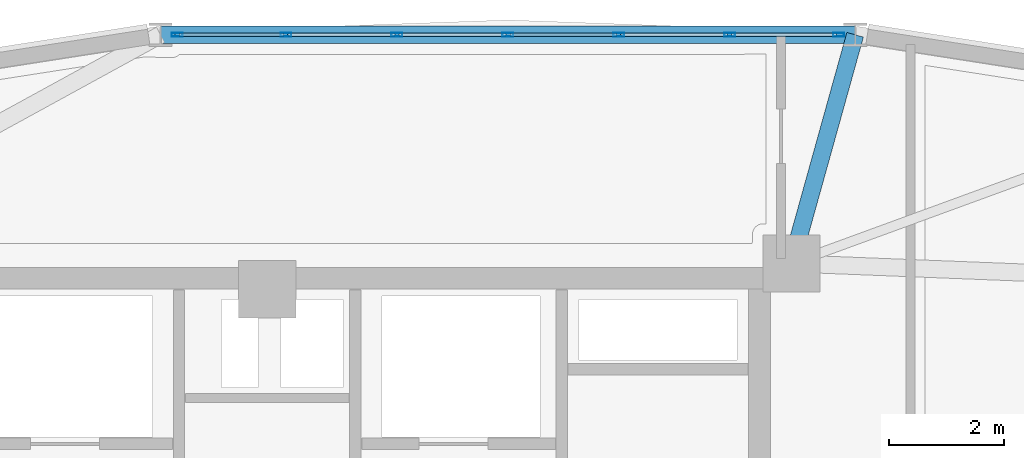
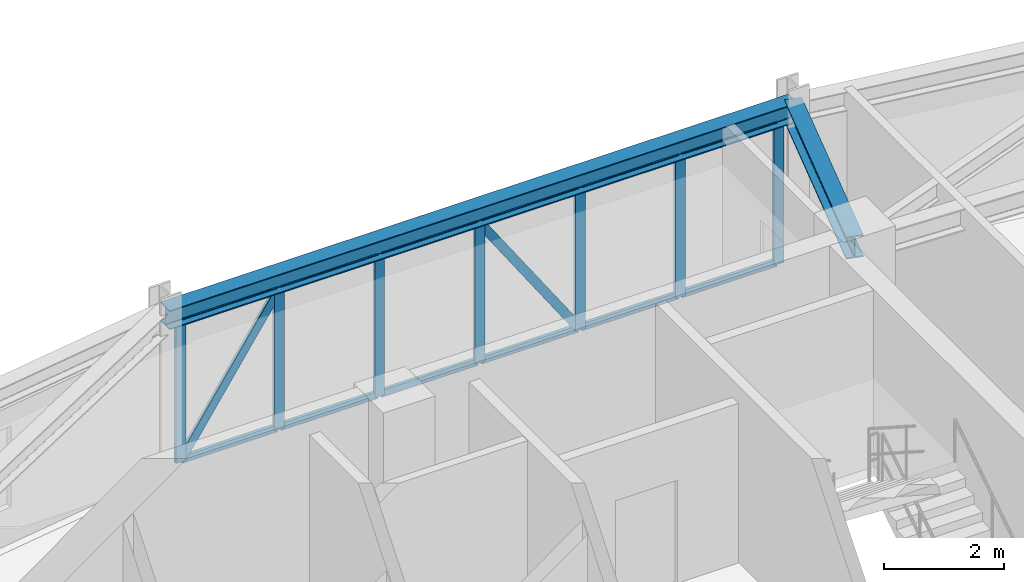
# One storey, part 9 of 16: 21 members, 2 beams, 1 element without a shape of its own.
"""IFC4 building model written with IfcOpenShell, lengths in metres."""

from ifc_helpers import new_model, si_unit, derived_unit, direction, frame, origin, origin_2d, place, context, subcontext, project, spatial, hollow_rectangle, i_section, extrude, source, transform, mapped, material, layer, layer_set, material_profile, profile_set, type_object, element, aggregate, save


model = new_model("IFC4")

# Units and contexts
model_context = context("Model", 3, precision=1e-05, world=origin(), true_north=direction((0.0, 1.0)))
body_context = subcontext(model_context, "Body", "Model", "MODEL_VIEW")
ifc_project = project(units=[si_unit("LENGTHUNIT", "METRE"), si_unit("AREAUNIT", "SQUARE_METRE"), si_unit("VOLUMEUNIT", "CUBIC_METRE"), si_unit("PLANEANGLEUNIT", "RADIAN"), si_unit("MASSUNIT", "GRAM", prefix="KILO"), derived_unit("THERMALTRANSMITTANCEUNIT", [(si_unit("POWERUNIT", "WATT"), 1), (si_unit("LENGTHUNIT", "METRE"), -2), (si_unit("THERMODYNAMICTEMPERATUREUNIT", "KELVIN"), -1)])], contexts=[model_context])

# Site, building, storey
site_placement = place(None, origin())
site = spatial("IfcSite", under=ifc_project, at=site_placement, CompositionType="ELEMENT")
building_placement = place(site_placement, origin())
building = spatial("IfcBuilding", under=site, at=building_placement, Name="Korsvarv Bourse and Concert Hall", CompositionType="ELEMENT")
storey_placement = place(building_placement, frame((0.0, 0.0, 234.60009765625)))
storey = spatial("IfcBuildingStorey", under=building, at=storey_placement, Name="L61", CompositionType="ELEMENT", Elevation=234.60009765625)

# Beams
ifc_material_1 = material(Name="Steel S355", Category="steel")
ifc_material_profile_1 = material_profile(ifc_material_1, i_section(OverallWidth=0.300048828125, OverallDepth=0.389892578125, WebThickness=0.010986328125, FlangeThickness=0.01904296875, FilletRadius=0.02099609375, at=origin_2d()), Name="HEA 400")
ifc_profile_set_1 = profile_set([ifc_material_profile_1], Name="Steel S355")
beam_type_1 = type_object("IfcBeamType", Name="BM-HEA400", PredefinedType="BEAM", material=ifc_profile_set_1)
shared_shape_1 = source(origin(), body_context, "Body", "SweptSolid", [
    extrude(i_section(OverallWidth=0.300048828125, OverallDepth=0.389892578125, WebThickness=0.010986328125, FlangeThickness=0.01904296875, FilletRadius=0.02099609375, at=origin_2d()), origin(), (0.0, 0.0, 1.0), 12.12353515625),
])
beam_1_placement = place(storey_placement, frame((46.26171875, 51.2412109375, 3.06494140625), z_axis=(-1.0, 0.0, 0.0), x_axis=(0.0, -1.0, 0.0)))
element("IfcBeam", 1, at=beam_1_placement, inside=storey, type_object=beam_type_1, Name="L61 beam B-11", PredefinedType="BEAM", context=body_context, shape_type="MappedRepresentation", body=[
    mapped(shared_shape_1, transform((0.0, 0.0, 0.0), scale=1.0)),
])
ifc_material_profile_2 = material_profile(ifc_material_1, i_section(OverallWidth=0.300048828125, OverallDepth=0.449951171875, WebThickness=0.013916015625, FlangeThickness=0.02587890625, FilletRadius=0.02099609375, at=origin_2d()), Name="HEB 450")
ifc_profile_set_2 = profile_set([ifc_material_profile_2], Name="Steel S355")
beam_type_2 = type_object("IfcBeamType", Name="BM-HEB450", PredefinedType="SPANDREL", material=ifc_profile_set_2)
shared_shape_2 = source(origin(), body_context, "Body", "SweptSolid", [
    extrude(i_section(OverallWidth=0.300048828125, OverallDepth=0.449951171875, WebThickness=0.013916015625, FlangeThickness=0.02587890625, FilletRadius=0.02099609375, at=origin_2d()), origin(), (0.0, 0.0, 1.0), 4.14306640625),
])
beam_2_placement = place(storey_placement, frame((46.26171875, 51.2412109375, 3.034912109375), z_axis=(-0.268348877683, -0.963321794545, 0.0), x_axis=(0.963321794545, -0.268348877683, 0.0)))
element("IfcBeam", 2, at=beam_2_placement, inside=storey, type_object=beam_type_2, Name="L61 beam B-08", PredefinedType="SPANDREL", context=body_context, shape_type="MappedRepresentation", body=[
    mapped(shared_shape_2, transform((0.0, 0.0, 0.0), scale=1.0)),
])

# Curtain wall, members
ifc_material_2 = material(Name="Anodised aluminium and triple low-E glazing", Category="glass")
ifc_layer = layer(ifc_material_2, 0.199951171875)
ifc_layer_set = layer_set([ifc_layer], Name="Anodised aluminium and triple low-E glazing")
curtain_wall_type = type_object("IfcCurtainWallType", Name="CW-SYS-3", PredefinedType="NOTDEFINED", material=ifc_layer_set)
curtain_wall_placement = place(storey_placement, origin())
curtain_wall = element("IfcCurtainWall", 3, at=curtain_wall_placement, inside=storey, type_object=curtain_wall_type, Name="L61 CW3 curtain wall CW-L61-F03", PredefinedType="NOTDEFINED")
ifc_material_3 = material(Name="Extruded aluminium EN AW-6063 T66", Category="aluminium")
ifc_material_profile_3 = material_profile(ifc_material_3, hollow_rectangle(XDim=0.06494140625, YDim=0.139892578125, WallThickness=0.00390625, at=origin_2d()), Name="ALU-T 65x140")
ifc_profile_set_3 = profile_set([ifc_material_profile_3], Name="Extruded aluminium EN AW-6063 T66")
member_type_1 = type_object("IfcMemberType", Name="CWT-140", PredefinedType="USERDEFINED", material=ifc_profile_set_3)
shared_shape_3 = source(origin(), body_context, "Body", "SweptSolid", [
    extrude(hollow_rectangle(XDim=0.06494140625, YDim=0.139892578125, WallThickness=0.00390625, at=origin_2d()), origin(), (0.0, 0.0, 1.0), 1.831298828125),
])
member_1_placement = place(storey_placement, frame((45.938720703125, 51.2412109375, 0.032470703125), z_axis=(-1.0, 0.0, 0.0), x_axis=(0.0, -1.0, 0.0)))
member_1 = element("IfcMember", 4, at=member_1_placement, type_object=member_type_1, Name="CW3 transom 1.1", ObjectType="TRANSOM", PredefinedType="USERDEFINED", context=body_context, shape_type="MappedRepresentation", body=[
    mapped(shared_shape_3, transform((0.0, 0.0, 0.0), scale=1.0)),
])
member_2_placement = place(storey_placement, frame((45.938720703125, 51.2412109375, 2.83740234375), z_axis=(-1.0, 0.0, 0.0), x_axis=(0.0, -1.0, 0.0)))
member_2 = element("IfcMember", 5, at=member_2_placement, type_object=member_type_1, Name="CW3 transom 1.2", ObjectType="TRANSOM", PredefinedType="USERDEFINED", context=body_context, shape_type="MappedRepresentation", body=[
    mapped(shared_shape_3, transform((0.0, 0.0, 0.0), scale=1.0)),
])
member_3_placement = place(storey_placement, frame((36.29248046875, 51.2412109375, 0.032470703125), z_axis=(-1.0, 0.0, 0.0), x_axis=(0.0, -1.0, 0.0)))
member_3 = element("IfcMember", 6, at=member_3_placement, type_object=member_type_1, Name="CW3 transom 6.1", ObjectType="TRANSOM", PredefinedType="USERDEFINED", context=body_context, shape_type="MappedRepresentation", body=[
    mapped(shared_shape_3, transform((0.0, 0.0, 0.0), scale=1.0)),
])
member_4_placement = place(storey_placement, frame((36.29248046875, 51.2412109375, 2.83740234375), z_axis=(-1.0, 0.0, 0.0), x_axis=(0.0, -1.0, 0.0)))
member_4 = element("IfcMember", 7, at=member_4_placement, type_object=member_type_1, Name="CW3 transom 6.2", ObjectType="TRANSOM", PredefinedType="USERDEFINED", context=body_context, shape_type="MappedRepresentation", body=[
    mapped(shared_shape_3, transform((0.0, 0.0, 0.0), scale=1.0)),
])
shared_shape_4 = source(origin(), body_context, "Body", "SweptSolid", [
    extrude(hollow_rectangle(XDim=0.06494140625, YDim=0.139892578125, WallThickness=0.00390625, at=origin_2d()), origin(), (0.0, 0.0, 1.0), 1.8662109375),
])
member_5_placement = place(storey_placement, frame((44.03759765625, 51.2412109375, 0.032470703125), z_axis=(-1.0, 0.0, 0.0), x_axis=(0.0, -1.0, 0.0)))
member_5 = element("IfcMember", 8, at=member_5_placement, type_object=member_type_1, Name="CW3 transom 2.1", ObjectType="TRANSOM", PredefinedType="USERDEFINED", context=body_context, shape_type="MappedRepresentation", body=[
    mapped(shared_shape_4, transform((0.0, 0.0, 0.0), scale=1.0)),
])
member_6_placement = place(storey_placement, frame((44.03759765625, 51.2412109375, 2.83740234375), z_axis=(-1.0, 0.0, 0.0), x_axis=(0.0, -1.0, 0.0)))
member_6 = element("IfcMember", 9, at=member_6_placement, type_object=member_type_1, Name="CW3 transom 2.2", ObjectType="TRANSOM", PredefinedType="USERDEFINED", context=body_context, shape_type="MappedRepresentation", body=[
    mapped(shared_shape_4, transform((0.0, 0.0, 0.0), scale=1.0)),
])
member_7_placement = place(storey_placement, frame((42.101318359375, 51.2412109375, 0.032470703125), z_axis=(-1.0, 0.0, 0.0), x_axis=(0.0, -1.0, 0.0)))
member_7 = element("IfcMember", 10, at=member_7_placement, type_object=member_type_1, Name="CW3 transom 3.1", ObjectType="TRANSOM", PredefinedType="USERDEFINED", context=body_context, shape_type="MappedRepresentation", body=[
    mapped(shared_shape_4, transform((0.0, 0.0, 0.0), scale=1.0)),
])
member_8_placement = place(storey_placement, frame((42.101318359375, 51.2412109375, 2.83740234375), z_axis=(-1.0, 0.0, 0.0), x_axis=(0.0, -1.0, 0.0)))
member_8 = element("IfcMember", 11, at=member_8_placement, type_object=member_type_1, Name="CW3 transom 3.2", ObjectType="TRANSOM", PredefinedType="USERDEFINED", context=body_context, shape_type="MappedRepresentation", body=[
    mapped(shared_shape_4, transform((0.0, 0.0, 0.0), scale=1.0)),
])
member_9_placement = place(storey_placement, frame((40.1650390625, 51.2412109375, 0.032470703125), z_axis=(-1.0, 0.0, 0.0), x_axis=(0.0, -1.0, 0.0)))
member_9 = element("IfcMember", 12, at=member_9_placement, type_object=member_type_1, Name="CW3 transom 4.1", ObjectType="TRANSOM", PredefinedType="USERDEFINED", context=body_context, shape_type="MappedRepresentation", body=[
    mapped(shared_shape_4, transform((0.0, 0.0, 0.0), scale=1.0)),
])
member_10_placement = place(storey_placement, frame((40.1650390625, 51.2412109375, 2.83740234375), z_axis=(-1.0, 0.0, 0.0), x_axis=(0.0, -1.0, 0.0)))
member_10 = element("IfcMember", 13, at=member_10_placement, type_object=member_type_1, Name="CW3 transom 4.2", ObjectType="TRANSOM", PredefinedType="USERDEFINED", context=body_context, shape_type="MappedRepresentation", body=[
    mapped(shared_shape_4, transform((0.0, 0.0, 0.0), scale=1.0)),
])
member_11_placement = place(storey_placement, frame((38.228759765625, 51.2412109375, 0.032470703125), z_axis=(-1.0, 0.0, 0.0), x_axis=(0.0, -1.0, 0.0)))
member_11 = element("IfcMember", 14, at=member_11_placement, type_object=member_type_1, Name="CW3 transom 5.1", ObjectType="TRANSOM", PredefinedType="USERDEFINED", context=body_context, shape_type="MappedRepresentation", body=[
    mapped(shared_shape_4, transform((0.0, 0.0, 0.0), scale=1.0)),
])
member_12_placement = place(storey_placement, frame((38.228759765625, 51.2412109375, 2.83740234375), z_axis=(-1.0, 0.0, 0.0), x_axis=(0.0, -1.0, 0.0)))
member_12 = element("IfcMember", 15, at=member_12_placement, type_object=member_type_1, Name="CW3 transom 5.2", ObjectType="TRANSOM", PredefinedType="USERDEFINED", context=body_context, shape_type="MappedRepresentation", body=[
    mapped(shared_shape_4, transform((0.0, 0.0, 0.0), scale=1.0)),
])
ifc_material_profile_4 = material_profile(ifc_material_3, hollow_rectangle(XDim=0.070068359375, YDim=0.18994140625, WallThickness=0.0048828125, at=origin_2d()), Name="ALU-M 70x190")
ifc_profile_set_4 = profile_set([ifc_material_profile_4], Name="Extruded aluminium EN AW-6063 T66")
member_type_2 = type_object("IfcMemberType", Name="CWM-190", PredefinedType="MULLION", material=ifc_profile_set_4)
shared_shape_5 = source(origin(), body_context, "Body", "SweptSolid", [
    extrude(hollow_rectangle(XDim=0.070068359375, YDim=0.18994140625, WallThickness=0.0048828125, at=origin_2d()), origin(), (0.0, 0.0, 1.0), 2.869873046875),
])
member_13_placement = place(storey_placement, frame((45.973876953125, 51.2412109375, 0.0), z_axis=(0.0, 0.0, 1.0), x_axis=(0.0, -1.0, 0.0)))
member_13 = element("IfcMember", 16, at=member_13_placement, type_object=member_type_2, Name="CW3 mullion 1", PredefinedType="MULLION", context=body_context, shape_type="MappedRepresentation", body=[
    mapped(shared_shape_5, transform((0.0, 0.0, 0.0), scale=1.0)),
])
member_14_placement = place(storey_placement, frame((44.072509765625, 51.2412109375, 0.0), z_axis=(0.0, 0.0, 1.0), x_axis=(0.0, -1.0, 0.0)))
member_14 = element("IfcMember", 17, at=member_14_placement, type_object=member_type_2, Name="CW3 mullion 2", PredefinedType="MULLION", context=body_context, shape_type="MappedRepresentation", body=[
    mapped(shared_shape_5, transform((0.0, 0.0, 0.0), scale=1.0)),
])
member_15_placement = place(storey_placement, frame((42.13623046875, 51.2412109375, 0.0), z_axis=(0.0, 0.0, 1.0), x_axis=(0.0, -1.0, 0.0)))
member_15 = element("IfcMember", 18, at=member_15_placement, type_object=member_type_2, Name="CW3 mullion 3", PredefinedType="MULLION", context=body_context, shape_type="MappedRepresentation", body=[
    mapped(shared_shape_5, transform((0.0, 0.0, 0.0), scale=1.0)),
])
member_16_placement = place(storey_placement, frame((40.199951171875, 51.2412109375, 0.0), z_axis=(0.0, 0.0, 1.0), x_axis=(0.0, -1.0, 0.0)))
member_16 = element("IfcMember", 19, at=member_16_placement, type_object=member_type_2, Name="CW3 mullion 4", PredefinedType="MULLION", context=body_context, shape_type="MappedRepresentation", body=[
    mapped(shared_shape_5, transform((0.0, 0.0, 0.0), scale=1.0)),
])
member_17_placement = place(storey_placement, frame((38.263671875, 51.2412109375, 0.0), z_axis=(0.0, 0.0, 1.0), x_axis=(0.0, -1.0, 0.0)))
member_17 = element("IfcMember", 20, at=member_17_placement, type_object=member_type_2, Name="CW3 mullion 5", PredefinedType="MULLION", context=body_context, shape_type="MappedRepresentation", body=[
    mapped(shared_shape_5, transform((0.0, 0.0, 0.0), scale=1.0)),
])
member_18_placement = place(storey_placement, frame((36.327392578125, 51.2412109375, 0.0), z_axis=(0.0, 0.0, 1.0), x_axis=(0.0, -1.0, 0.0)))
member_18 = element("IfcMember", 21, at=member_18_placement, type_object=member_type_2, Name="CW3 mullion 6", PredefinedType="MULLION", context=body_context, shape_type="MappedRepresentation", body=[
    mapped(shared_shape_5, transform((0.0, 0.0, 0.0), scale=1.0)),
])
member_19_placement = place(storey_placement, frame((34.42626953125, 51.2412109375, 0.0), z_axis=(0.0, 0.0, 1.0), x_axis=(0.0, -1.0, 0.0)))
member_19 = element("IfcMember", 22, at=member_19_placement, type_object=member_type_2, Name="CW3 mullion 7", PredefinedType="MULLION", context=body_context, shape_type="MappedRepresentation", body=[
    mapped(shared_shape_5, transform((0.0, 0.0, 0.0), scale=1.0)),
])
ifc_material_profile_5 = material_profile(ifc_material_3, hollow_rectangle(XDim=0.06494140625, YDim=0.1650390625, WallThickness=0.0048828125, at=origin_2d()), Name="ALU-M 65x165")
ifc_profile_set_5 = profile_set([ifc_material_profile_5], Name="Extruded aluminium EN AW-6063 T66")
member_type_3 = type_object("IfcMemberType", Name="CWM-165", PredefinedType="MULLION", material=ifc_profile_set_5)
shared_shape_6 = source(origin(), body_context, "Body", "SweptSolid", [
    extrude(hollow_rectangle(XDim=0.06494140625, YDim=0.1650390625, WallThickness=0.0048828125, at=origin_2d()), origin(), (0.0, 0.0, 1.0), 3.315185546875),
])
member_20_placement = place(storey_placement, frame((42.101318359375, 51.2412109375, 0.06494140625), z_axis=(-0.562932288186, 0.0, 0.826503018094), x_axis=(0.0, -1.0, 0.0)))
member_20 = element("IfcMember", 23, at=member_20_placement, type_object=member_type_3, Name="CW3 diagonal mullion 3", PredefinedType="MULLION", context=body_context, shape_type="MappedRepresentation", body=[
    mapped(shared_shape_6, transform((0.0, 0.0, 0.0), scale=1.0)),
])
shared_shape_7 = source(origin(), body_context, "Body", "SweptSolid", [
    extrude(hollow_rectangle(XDim=0.06494140625, YDim=0.1650390625, WallThickness=0.0048828125, at=origin_2d()), origin(), (0.0, 0.0, 1.0), 3.295654296875),
])
member_21_placement = place(storey_placement, frame((34.461181640625, 51.2412109375, 0.06494140625), z_axis=(0.555674253055, 0.0, 0.831400098925), x_axis=(0.0, 1.0, 0.0)))
member_21 = element("IfcMember", 24, at=member_21_placement, type_object=member_type_3, Name="CW3 diagonal mullion 6", PredefinedType="MULLION", context=body_context, shape_type="MappedRepresentation", body=[
    mapped(shared_shape_7, transform((0.0, 0.0, 0.0), scale=1.0)),
])
aggregate(curtain_wall, [member_13, member_14, member_15, member_16, member_17, member_18, member_19, member_1, member_2, member_5, member_6, member_7, member_8, member_20, member_9, member_10, member_11, member_12, member_3, member_4, member_21])

save(model, "model.ifc")
